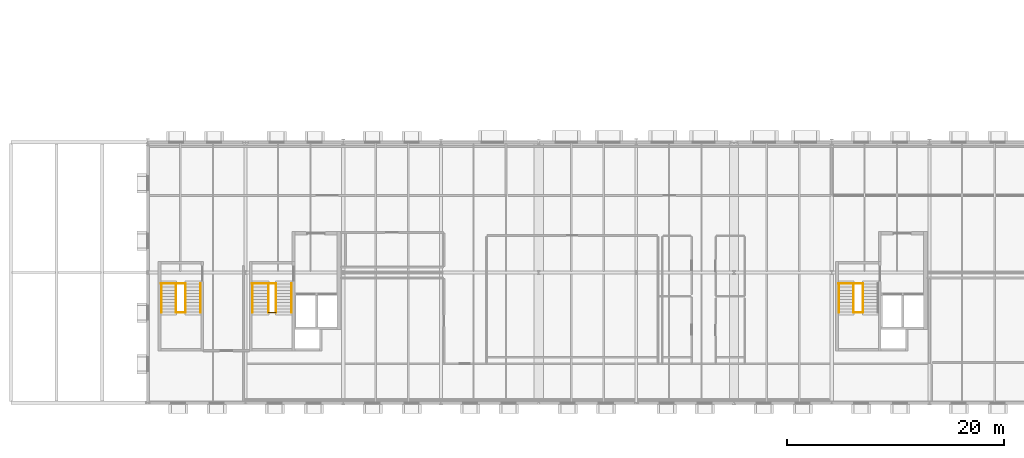
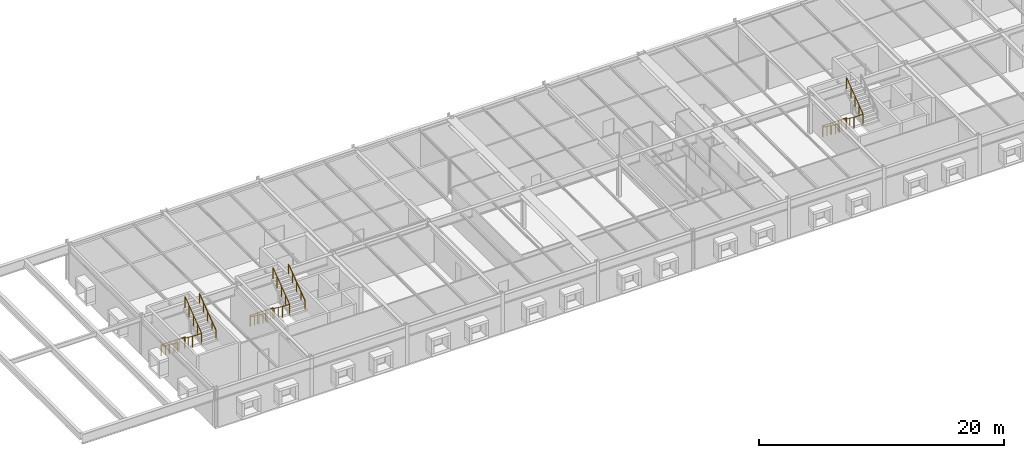
# One storey, part 35 of 36: 17 railings.
"""IFC4 building model written with IfcOpenShell, lengths in metres."""

from ifc_helpers import new_model, si_unit, direction, frame, origin, origin_2d, place, context, subcontext, project, spatial, circle, extrude, material, type_object, element, save


model = new_model("IFC4")

# Units and contexts
model_context = context("Model", 3, precision=1e-05, world=origin(), true_north=direction((0.0, 1.0)))
body_context = subcontext(model_context, "Body", "Model", "MODEL_VIEW")
ifc_project = project(units=[si_unit("LENGTHUNIT", "METRE"), si_unit("AREAUNIT", "SQUARE_METRE"), si_unit("VOLUMEUNIT", "CUBIC_METRE"), si_unit("PLANEANGLEUNIT", "RADIAN"), si_unit("MASSUNIT", "GRAM", prefix="KILO")], contexts=[model_context])

# Site, building, storey
site_placement = place(None, origin())
site = spatial("IfcSite", under=ifc_project, at=site_placement, CompositionType="ELEMENT")
building_placement = place(site_placement, origin())
building = spatial("IfcBuilding", under=site, at=building_placement, Name="Montelvaro Courts of Justice", CompositionType="ELEMENT")
storey_placement = place(building_placement, frame((0.0, 0.0, 23.39990234375)))
storey = spatial("IfcBuildingStorey", under=building, at=storey_placement, Name="L05", CompositionType="ELEMENT", Elevation=23.39990234375)

# Railings
ifc_material_1 = material(Name="Steel S355", Category="steel")
railing_type_1 = type_object("IfcRailingType", Name="InteriorGuard_1100", PredefinedType="BALUSTRADE", material=ifc_material_1)
railing_1_placement = place(storey_placement, frame((54.60009765625, 11.0, 0.0)))
element("IfcRailing", 1, at=railing_1_placement, inside=storey, type_object=railing_type_1, Name="Stair Well Guard GR-02 ST-K1-L04-TLG", PredefinedType="BALUSTRADE", context=body_context, shape_type="SweptSolid", body=[
    extrude(circle(Radius=0.02392578125, at=origin_2d()), frame((0.0, 0.0, 1.076171875), z_axis=(1.0, 0.0, 0.0), x_axis=(0.0, 1.0, 0.0)), (0.0, 0.0, 1.0), 2.18994140625),
    extrude(circle(Radius=0.02099609375, at=origin_2d()), origin(), (0.0, 0.0, 1.0), 1.052001953125),
    extrude(circle(Radius=0.02099609375, at=origin_2d()), frame((0.72998046875, 0.0, 0.0)), (0.0, 0.0, 1.0), 1.052001953125),
    extrude(circle(Radius=0.02099609375, at=origin_2d()), frame((1.4599609375, 0.0, 0.0)), (0.0, 0.0, 1.0), 1.052001953125),
    extrude(circle(Radius=0.02099609375, at=origin_2d()), frame((2.18994140625, 0.0, 0.0)), (0.0, 0.0, 1.0), 1.052001953125),
])
railing_2_placement = place(storey_placement, frame((56.110107421875, 11.0, 0.0)))
element("IfcRailing", 2, at=railing_2_placement, inside=storey, type_object=railing_type_1, Name="Stair Well Guard GR-02 ST-K1-L05-F1G", PredefinedType="BALUSTRADE", context=body_context, shape_type="SweptSolid", body=[
    extrude(circle(Radius=0.02392578125, at=origin_2d()), frame((0.0, 0.0, 1.076171875), z_axis=(0.0, -0.803036263579, 0.595930163171), x_axis=(1.0, 0.0, 0.0)), (0.0, 0.0, 1.0), 3.356201171875),
    extrude(circle(Radius=0.02099609375, at=origin_2d()), origin(), (0.0, 0.0, 1.0), 1.052001953125),
    extrude(circle(Radius=0.02099609375, at=origin_2d()), frame((0.0, -0.673828125, 0.5)), (0.0, 0.0, 1.0), 1.052001953125),
    extrude(circle(Radius=0.02099609375, at=origin_2d()), frame((0.0, -1.34765625, 1.0)), (0.0, 0.0, 1.0), 1.052001953125),
    extrude(circle(Radius=0.02099609375, at=origin_2d()), frame((0.0, -2.021240234375, 1.5)), (0.0, 0.0, 1.0), 1.052001953125),
    extrude(circle(Radius=0.02099609375, at=origin_2d()), frame((0.0, -2.695068359375, 2.0)), (0.0, 0.0, 1.0), 1.052001953125),
])
railing_3_placement = place(storey_placement, frame((56.7900390625, 8.304931640625, 2.0)))
element("IfcRailing", 3, at=railing_3_placement, inside=storey, type_object=railing_type_1, Name="Stair Well Guard GR-02 ST-K1-L05-F2G", PredefinedType="BALUSTRADE", context=body_context, shape_type="SweptSolid", body=[
    extrude(circle(Radius=0.02392578125, at=origin_2d()), frame((0.0, 0.0, 1.076171875), z_axis=(0.0, 0.803036263579, 0.595930163171), x_axis=(-1.0, 0.0, 0.0)), (0.0, 0.0, 1.0), 3.356201171875),
    extrude(circle(Radius=0.02099609375, at=origin_2d()), origin(), (0.0, 0.0, 1.0), 1.052001953125),
    extrude(circle(Radius=0.02099609375, at=origin_2d()), frame((0.0, 0.673828125, 0.5)), (0.0, 0.0, 1.0), 1.052001953125),
    extrude(circle(Radius=0.02099609375, at=origin_2d()), frame((0.0, 1.34765625, 1.0)), (0.0, 0.0, 1.0), 1.052001953125),
    extrude(circle(Radius=0.02099609375, at=origin_2d()), frame((0.0, 2.021240234375, 1.5)), (0.0, 0.0, 1.0), 1.052001953125),
    extrude(circle(Radius=0.02099609375, at=origin_2d()), frame((0.0, 2.695068359375, 2.0)), (0.0, 0.0, 1.0), 1.052001953125),
])
railing_4_placement = place(storey_placement, frame((56.110107421875, 8.304931640625, 2.0)))
element("IfcRailing", 4, at=railing_4_placement, inside=storey, type_object=railing_type_1, Name="Stair Well Guard GR-02 ST-K1-L05-MLG", PredefinedType="BALUSTRADE", context=body_context, shape_type="SweptSolid", body=[
    extrude(circle(Radius=0.02392578125, at=origin_2d()), frame((0.0, 0.0, 1.076171875), z_axis=(1.0, 0.0, 0.0), x_axis=(0.0, 1.0, 0.0)), (0.0, 0.0, 1.0), 0.679931640625),
    extrude(circle(Radius=0.02099609375, at=origin_2d()), origin(), (0.0, 0.0, 1.0), 1.052001953125),
    extrude(circle(Radius=0.02099609375, at=origin_2d()), frame((0.679931640625, 0.0, 0.0)), (0.0, 0.0, 1.0), 1.052001953125),
])
railing_5_placement = place(storey_placement, frame((108.60009765625, 11.0, 0.0)))
element("IfcRailing", 5, at=railing_5_placement, inside=storey, type_object=railing_type_1, Name="Stair Well Guard GR-02 ST-K2-L04-TLG", PredefinedType="BALUSTRADE", context=body_context, shape_type="SweptSolid", body=[
    extrude(circle(Radius=0.02392578125, at=origin_2d()), frame((0.0, 0.0, 1.076171875), z_axis=(1.0, 0.0, 0.0), x_axis=(0.0, 1.0, 0.0)), (0.0, 0.0, 1.0), 2.289794921875),
    extrude(circle(Radius=0.02099609375, at=origin_2d()), origin(), (0.0, 0.0, 1.0), 1.052001953125),
    extrude(circle(Radius=0.02099609375, at=origin_2d()), frame((0.76318359375, 0.0, 0.0)), (0.0, 0.0, 1.0), 1.052001953125),
    extrude(circle(Radius=0.02099609375, at=origin_2d()), frame((1.526611328125, 0.0, 0.0)), (0.0, 0.0, 1.0), 1.052001953125),
    extrude(circle(Radius=0.02099609375, at=origin_2d()), frame((2.289794921875, 0.0, 0.0)), (0.0, 0.0, 1.0), 1.052001953125),
])
railing_6_placement = place(storey_placement, frame((110.010009765625, 11.0, 0.0)))
element("IfcRailing", 6, at=railing_6_placement, inside=storey, type_object=railing_type_1, Name="Stair Well Guard GR-02 ST-K2-L05-F1G", PredefinedType="BALUSTRADE", context=body_context, shape_type="SweptSolid", body=[
    extrude(circle(Radius=0.02392578125, at=origin_2d()), frame((0.0, 0.0, 1.076171875), z_axis=(0.0, -0.803036263579, 0.595930163171), x_axis=(1.0, 0.0, 0.0)), (0.0, 0.0, 1.0), 3.356201171875),
    extrude(circle(Radius=0.02099609375, at=origin_2d()), origin(), (0.0, 0.0, 1.0), 1.052001953125),
    extrude(circle(Radius=0.02099609375, at=origin_2d()), frame((0.0, -0.673828125, 0.5)), (0.0, 0.0, 1.0), 1.052001953125),
    extrude(circle(Radius=0.02099609375, at=origin_2d()), frame((0.0, -1.34765625, 1.0)), (0.0, 0.0, 1.0), 1.052001953125),
    extrude(circle(Radius=0.02099609375, at=origin_2d()), frame((0.0, -2.021240234375, 1.5)), (0.0, 0.0, 1.0), 1.052001953125),
    extrude(circle(Radius=0.02099609375, at=origin_2d()), frame((0.0, -2.695068359375, 2.0)), (0.0, 0.0, 1.0), 1.052001953125),
])
railing_7_placement = place(storey_placement, frame((110.889892578125, 8.304931640625, 2.0)))
element("IfcRailing", 7, at=railing_7_placement, inside=storey, type_object=railing_type_1, Name="Stair Well Guard GR-02 ST-K2-L05-F2G", PredefinedType="BALUSTRADE", context=body_context, shape_type="SweptSolid", body=[
    extrude(circle(Radius=0.02392578125, at=origin_2d()), frame((0.0, 0.0, 1.076171875), z_axis=(0.0, 0.803036263579, 0.595930163171), x_axis=(-1.0, 0.0, 0.0)), (0.0, 0.0, 1.0), 3.356201171875),
    extrude(circle(Radius=0.02099609375, at=origin_2d()), origin(), (0.0, 0.0, 1.0), 1.052001953125),
    extrude(circle(Radius=0.02099609375, at=origin_2d()), frame((0.0, 0.673828125, 0.5)), (0.0, 0.0, 1.0), 1.052001953125),
    extrude(circle(Radius=0.02099609375, at=origin_2d()), frame((0.0, 1.34765625, 1.0)), (0.0, 0.0, 1.0), 1.052001953125),
    extrude(circle(Radius=0.02099609375, at=origin_2d()), frame((0.0, 2.021240234375, 1.5)), (0.0, 0.0, 1.0), 1.052001953125),
    extrude(circle(Radius=0.02099609375, at=origin_2d()), frame((0.0, 2.695068359375, 2.0)), (0.0, 0.0, 1.0), 1.052001953125),
])
railing_8_placement = place(storey_placement, frame((110.010009765625, 8.304931640625, 2.0)))
element("IfcRailing", 8, at=railing_8_placement, inside=storey, type_object=railing_type_1, Name="Stair Well Guard GR-02 ST-K2-L05-MLG", PredefinedType="BALUSTRADE", context=body_context, shape_type="SweptSolid", body=[
    extrude(circle(Radius=0.02392578125, at=origin_2d()), frame((0.0, 0.0, 1.076171875), z_axis=(1.0, 0.0, 0.0), x_axis=(0.0, 1.0, 0.0)), (0.0, 0.0, 1.0), 0.8798828125),
    extrude(circle(Radius=0.02099609375, at=origin_2d()), origin(), (0.0, 0.0, 1.0), 1.052001953125),
    extrude(circle(Radius=0.02099609375, at=origin_2d()), frame((0.8798828125, 0.0, 0.0)), (0.0, 0.0, 1.0), 1.052001953125),
])
railing_9_placement = place(storey_placement, frame((46.199951171875, 11.0, 0.0)))
element("IfcRailing", 9, at=railing_9_placement, inside=storey, type_object=railing_type_1, Name="Stair Well Guard GR-02 ST-E1-L04-TLG", PredefinedType="BALUSTRADE", context=body_context, shape_type="SweptSolid", body=[
    extrude(circle(Radius=0.02392578125, at=origin_2d()), frame((0.0, 0.0, 1.076171875), z_axis=(1.0, 0.0, 0.0), x_axis=(0.0, 1.0, 0.0)), (0.0, 0.0, 1.0), 2.2900390625),
    extrude(circle(Radius=0.02099609375, at=origin_2d()), origin(), (0.0, 0.0, 1.0), 1.052001953125),
    extrude(circle(Radius=0.02099609375, at=origin_2d()), frame((0.763427734375, 0.0, 0.0)), (0.0, 0.0, 1.0), 1.052001953125),
    extrude(circle(Radius=0.02099609375, at=origin_2d()), frame((1.526611328125, 0.0, 0.0)), (0.0, 0.0, 1.0), 1.052001953125),
    extrude(circle(Radius=0.02099609375, at=origin_2d()), frame((2.2900390625, 0.0, 0.0)), (0.0, 0.0, 1.0), 1.052001953125),
])
railing_10_placement = place(storey_placement, frame((47.610107421875, 11.0, 0.0)))
element("IfcRailing", 10, at=railing_10_placement, inside=storey, type_object=railing_type_1, Name="Stair Well Guard GR-02 ST-E1-L05-F1G", PredefinedType="BALUSTRADE", context=body_context, shape_type="SweptSolid", body=[
    extrude(circle(Radius=0.02392578125, at=origin_2d()), frame((0.0, 0.0, 1.076171875), z_axis=(0.0, -0.803036263579, 0.595930163171), x_axis=(1.0, 0.0, 0.0)), (0.0, 0.0, 1.0), 3.356201171875),
    extrude(circle(Radius=0.02099609375, at=origin_2d()), origin(), (0.0, 0.0, 1.0), 1.052001953125),
    extrude(circle(Radius=0.02099609375, at=origin_2d()), frame((0.0, -0.673828125, 0.5)), (0.0, 0.0, 1.0), 1.052001953125),
    extrude(circle(Radius=0.02099609375, at=origin_2d()), frame((0.0, -1.34765625, 1.0)), (0.0, 0.0, 1.0), 1.052001953125),
    extrude(circle(Radius=0.02099609375, at=origin_2d()), frame((0.0, -2.021240234375, 1.5)), (0.0, 0.0, 1.0), 1.052001953125),
    extrude(circle(Radius=0.02099609375, at=origin_2d()), frame((0.0, -2.695068359375, 2.0)), (0.0, 0.0, 1.0), 1.052001953125),
])
railing_11_placement = place(storey_placement, frame((48.489990234375, 8.304931640625, 2.0)))
element("IfcRailing", 11, at=railing_11_placement, inside=storey, type_object=railing_type_1, Name="Stair Well Guard GR-02 ST-E1-L05-F2G", PredefinedType="BALUSTRADE", context=body_context, shape_type="SweptSolid", body=[
    extrude(circle(Radius=0.02392578125, at=origin_2d()), frame((0.0, 0.0, 1.076171875), z_axis=(0.0, 0.803036263579, 0.595930163171), x_axis=(-1.0, 0.0, 0.0)), (0.0, 0.0, 1.0), 3.356201171875),
    extrude(circle(Radius=0.02099609375, at=origin_2d()), origin(), (0.0, 0.0, 1.0), 1.052001953125),
    extrude(circle(Radius=0.02099609375, at=origin_2d()), frame((0.0, 0.673828125, 0.5)), (0.0, 0.0, 1.0), 1.052001953125),
    extrude(circle(Radius=0.02099609375, at=origin_2d()), frame((0.0, 1.34765625, 1.0)), (0.0, 0.0, 1.0), 1.052001953125),
    extrude(circle(Radius=0.02099609375, at=origin_2d()), frame((0.0, 2.021240234375, 1.5)), (0.0, 0.0, 1.0), 1.052001953125),
    extrude(circle(Radius=0.02099609375, at=origin_2d()), frame((0.0, 2.695068359375, 2.0)), (0.0, 0.0, 1.0), 1.052001953125),
])
railing_12_placement = place(storey_placement, frame((47.610107421875, 8.304931640625, 2.0)))
element("IfcRailing", 12, at=railing_12_placement, inside=storey, type_object=railing_type_1, Name="Stair Well Guard GR-02 ST-E1-L05-MLG", PredefinedType="BALUSTRADE", context=body_context, shape_type="SweptSolid", body=[
    extrude(circle(Radius=0.02392578125, at=origin_2d()), frame((0.0, 0.0, 1.076171875), z_axis=(1.0, 0.0, 0.0), x_axis=(0.0, 1.0, 0.0)), (0.0, 0.0, 1.0), 0.8798828125),
    extrude(circle(Radius=0.02099609375, at=origin_2d()), origin(), (0.0, 0.0, 1.0), 1.052001953125),
    extrude(circle(Radius=0.02099609375, at=origin_2d()), frame((0.8798828125, 0.0, 0.0)), (0.0, 0.0, 1.0), 1.052001953125),
])
ifc_material_2 = material(Name="Austenitic stainless steel EN 1.4401", Category="steel")
railing_type_2 = type_object("IfcRailingType", Name="StairHandrail_950", PredefinedType="HANDRAIL", material=ifc_material_2)
railing_13_placement = place(storey_placement, frame((54.659912109375, 11.0, 0.0)))
element("IfcRailing", 13, at=railing_13_placement, inside=storey, type_object=railing_type_2, Name="Stair Pitch Handrail HR-01 ST-K1-L05-F1H", PredefinedType="HANDRAIL", context=body_context, shape_type="SweptSolid", body=[
    extrude(circle(Radius=0.02392578125, at=origin_2d()), frame((0.0, 0.0, 0.92578125), z_axis=(0.0, -0.803036263579, 0.595930163171), x_axis=(1.0, 0.0, 0.0)), (0.0, 0.0, 1.0), 3.356201171875),
    extrude(circle(Radius=0.02099609375, at=origin_2d()), origin(), (0.0, 0.0, 1.0), 0.90185546875),
    extrude(circle(Radius=0.02099609375, at=origin_2d()), frame((0.0, -0.673828125, 0.5)), (0.0, 0.0, 1.0), 0.90185546875),
    extrude(circle(Radius=0.02099609375, at=origin_2d()), frame((0.0, -1.34765625, 1.0)), (0.0, 0.0, 1.0), 0.90185546875),
    extrude(circle(Radius=0.02099609375, at=origin_2d()), frame((0.0, -2.021240234375, 1.5)), (0.0, 0.0, 1.0), 0.90185546875),
    extrude(circle(Radius=0.02099609375, at=origin_2d()), frame((0.0, -2.695068359375, 2.0)), (0.0, 0.0, 1.0), 0.90185546875),
])
railing_14_placement = place(storey_placement, frame((58.239990234375, 8.304931640625, 2.0)))
element("IfcRailing", 14, at=railing_14_placement, inside=storey, type_object=railing_type_2, Name="Stair Pitch Handrail HR-01 ST-K1-L05-F2H", PredefinedType="HANDRAIL", context=body_context, shape_type="SweptSolid", body=[
    extrude(circle(Radius=0.02392578125, at=origin_2d()), frame((0.0, 0.0, 0.92578125), z_axis=(0.0, 0.803036263579, 0.595930163171), x_axis=(-1.0, 0.0, 0.0)), (0.0, 0.0, 1.0), 3.356201171875),
    extrude(circle(Radius=0.02099609375, at=origin_2d()), origin(), (0.0, 0.0, 1.0), 0.90185546875),
    extrude(circle(Radius=0.02099609375, at=origin_2d()), frame((0.0, 0.673828125, 0.5)), (0.0, 0.0, 1.0), 0.90185546875),
    extrude(circle(Radius=0.02099609375, at=origin_2d()), frame((0.0, 1.34765625, 1.0)), (0.0, 0.0, 1.0), 0.90185546875),
    extrude(circle(Radius=0.02099609375, at=origin_2d()), frame((0.0, 2.021240234375, 1.5)), (0.0, 0.0, 1.0), 0.90185546875),
    extrude(circle(Radius=0.02099609375, at=origin_2d()), frame((0.0, 2.695068359375, 2.0)), (0.0, 0.0, 1.0), 0.90185546875),
])
for number, where, name in (
    (15, (108.659912109375, 11.0, 0.0), "Stair Pitch Handrail HR-01 ST-K2-L05-F1H"),
    (16, (46.260009765625, 11.0, 0.0), "Stair Pitch Handrail HR-01 ST-E1-L05-F1H"),
):
    element("IfcRailing", number, at=place(storey_placement, frame(where)), inside=storey, type_object=railing_type_2, Name=name, PredefinedType="HANDRAIL", context=body_context, shape_type="SweptSolid", body=[
        extrude(circle(Radius=0.02392578125, at=origin_2d()), frame((0.0, 0.0, 0.92578125), z_axis=(0.0, -0.803036263579, 0.595930163171), x_axis=(1.0, 0.0, 0.0)), (0.0, 0.0, 1.0), 3.356201171875),
        extrude(circle(Radius=0.02099609375, at=origin_2d()), origin(), (0.0, 0.0, 1.0), 0.90185546875),
        extrude(circle(Radius=0.02099609375, at=origin_2d()), frame((0.0, -0.673828125, 0.5)), (0.0, 0.0, 1.0), 0.90185546875),
        extrude(circle(Radius=0.02099609375, at=origin_2d()), frame((0.0, -1.34765625, 1.0)), (0.0, 0.0, 1.0), 0.90185546875),
        extrude(circle(Radius=0.02099609375, at=origin_2d()), frame((0.0, -2.021240234375, 1.5)), (0.0, 0.0, 1.0), 0.90185546875),
        extrude(circle(Radius=0.02099609375, at=origin_2d()), frame((0.0, -2.695068359375, 2.0)), (0.0, 0.0, 1.0), 0.90185546875),
    ])
railing_15_placement = place(storey_placement, frame((49.840087890625, 8.304931640625, 2.0)))
element("IfcRailing", 17, at=railing_15_placement, inside=storey, type_object=railing_type_2, Name="Stair Pitch Handrail HR-01 ST-E1-L05-F2H", PredefinedType="HANDRAIL", context=body_context, shape_type="SweptSolid", body=[
    extrude(circle(Radius=0.02392578125, at=origin_2d()), frame((0.0, 0.0, 0.92578125), z_axis=(0.0, 0.803036263579, 0.595930163171), x_axis=(-1.0, 0.0, 0.0)), (0.0, 0.0, 1.0), 3.356201171875),
    extrude(circle(Radius=0.02099609375, at=origin_2d()), origin(), (0.0, 0.0, 1.0), 0.90185546875),
    extrude(circle(Radius=0.02099609375, at=origin_2d()), frame((0.0, 0.673828125, 0.5)), (0.0, 0.0, 1.0), 0.90185546875),
    extrude(circle(Radius=0.02099609375, at=origin_2d()), frame((0.0, 1.34765625, 1.0)), (0.0, 0.0, 1.0), 0.90185546875),
    extrude(circle(Radius=0.02099609375, at=origin_2d()), frame((0.0, 2.021240234375, 1.5)), (0.0, 0.0, 1.0), 0.90185546875),
    extrude(circle(Radius=0.02099609375, at=origin_2d()), frame((0.0, 2.695068359375, 2.0)), (0.0, 0.0, 1.0), 0.90185546875),
])

save(model, "model.ifc")
